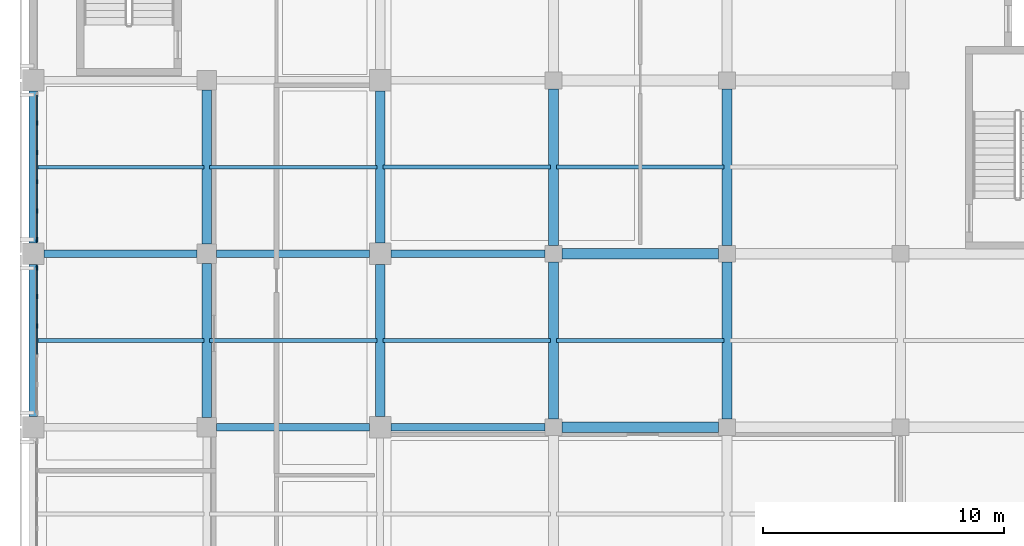
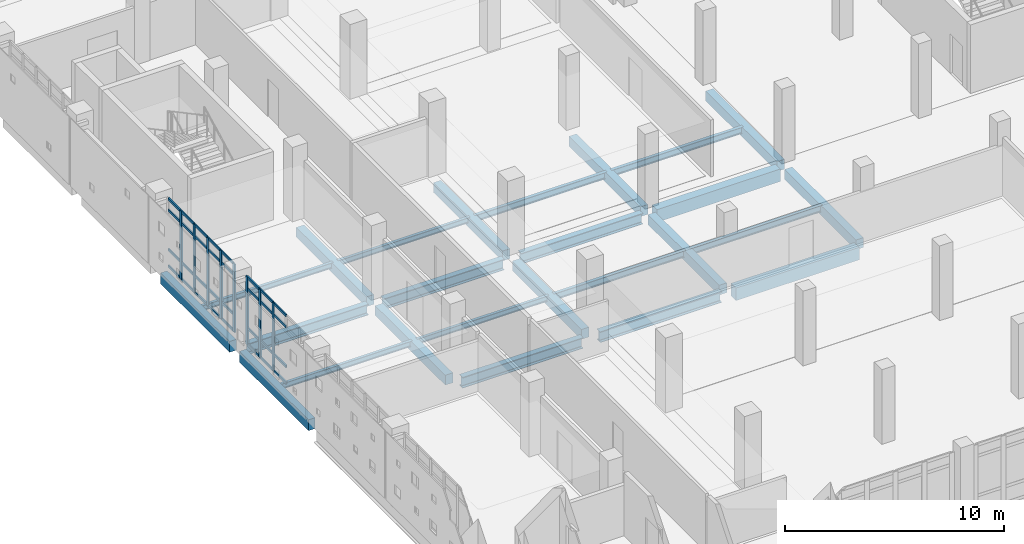
# One storey, part 15 of 62: 40 members, 25 beams, 2 elements without a shape of their own.
"""IFC4 building model written with IfcOpenShell, lengths in metres."""

from ifc_helpers import new_model, si_unit, direction, frame, origin, origin_2d, place, context, subcontext, project, spatial, rectangle, i_section, extrude, material, layer, layer_set, material_profile, profile_set, type_object, element, aggregate, save


model = new_model("IFC4")

# Units and contexts
model_context = context("Model", 3, precision=1e-05, world=origin(), true_north=direction((0.0, 1.0)))
body_context = subcontext(model_context, "Body", "Model", "MODEL_VIEW")
ifc_project = project(units=[si_unit("LENGTHUNIT", "METRE"), si_unit("AREAUNIT", "SQUARE_METRE"), si_unit("VOLUMEUNIT", "CUBIC_METRE"), si_unit("PLANEANGLEUNIT", "RADIAN"), si_unit("MASSUNIT", "GRAM", prefix="KILO")], contexts=[model_context])

# Site, building, storey
site_placement = place(None, origin())
site = spatial("IfcSite", under=ifc_project, at=site_placement, CompositionType="ELEMENT")
building_placement = place(site_placement, origin())
building = spatial("IfcBuilding", under=site, at=building_placement, Name="Valkovuoma Quantum and Materials Research Institute", CompositionType="ELEMENT")
storey_placement = place(building_placement, frame((0.0, 0.0, 8.9599609375)))
storey = spatial("IfcBuildingStorey", under=building, at=storey_placement, Name="L02", CompositionType="ELEMENT", Elevation=8.9599609375)

# Beams
ifc_material_1 = material(Name="Steel S355J2", Category="steel")
ifc_material_profile_1 = material_profile(ifc_material_1, i_section(OverallWidth=0.300048828125, OverallDepth=0.60009765625, WebThickness=0.015380859375, FlangeThickness=0.030029296875, FilletRadius=0.027099609375, at=origin_2d()), Name="Steel S355J2")
ifc_profile_set_1 = profile_set([ifc_material_profile_1], Name="Steel S355J2")
beam_type_1 = type_object("IfcBeamType", Name="Beam-B-HEB600", PredefinedType="BEAM", material=ifc_profile_set_1)
beam_1_placement = place(storey_placement, frame((7.60009765625, 57.60009765625, -0.64990234375), z_axis=(1.0, 0.0, 0.0), x_axis=(0.0, 1.0, 0.0)))
element("IfcBeam", 1, at=beam_1_placement, inside=storey, type_object=beam_type_1, Name="L02 beam X-1046", PredefinedType="BEAM", context=body_context, shape_type="SweptSolid", body=[
    extrude(i_section(OverallWidth=0.300048828125, OverallDepth=0.60009765625, WebThickness=0.015380859375, FlangeThickness=0.030029296875, FilletRadius=0.027099609375, at=origin_2d()), origin(), (0.0, 0.0, 1.0), 6.349853515625),
])
beam_2_placement = place(storey_placement, frame((14.85009765625, 57.60009765625, -0.64990234375), z_axis=(1.0, 0.0, 0.0), x_axis=(0.0, 1.0, 0.0)))
element("IfcBeam", 2, at=beam_2_placement, inside=storey, type_object=beam_type_1, Name="L02 beam X-1047", PredefinedType="BEAM", context=body_context, shape_type="SweptSolid", body=[
    extrude(i_section(OverallWidth=0.300048828125, OverallDepth=0.60009765625, WebThickness=0.015380859375, FlangeThickness=0.030029296875, FilletRadius=0.027099609375, at=origin_2d()), origin(), (0.0, 0.0, 1.0), 6.39990234375),
])
beam_3_placement = place(storey_placement, frame((0.449951171875, 64.800048828125, -0.64990234375), z_axis=(1.0, 0.0, 0.0), x_axis=(0.0, 1.0, 0.0)))
element("IfcBeam", 3, at=beam_3_placement, inside=storey, type_object=beam_type_1, Name="L02 beam X-1065", PredefinedType="BEAM", context=body_context, shape_type="SweptSolid", body=[
    extrude(i_section(OverallWidth=0.300048828125, OverallDepth=0.60009765625, WebThickness=0.015380859375, FlangeThickness=0.030029296875, FilletRadius=0.027099609375, at=origin_2d()), origin(), (0.0, 0.0, 1.0), 6.35009765625),
])
beam_4_placement = place(storey_placement, frame((7.60009765625, 64.800048828125, -0.64990234375), z_axis=(1.0, 0.0, 0.0), x_axis=(0.0, 1.0, 0.0)))
element("IfcBeam", 4, at=beam_4_placement, inside=storey, type_object=beam_type_1, Name="L02 beam X-1066", PredefinedType="BEAM", context=body_context, shape_type="SweptSolid", body=[
    extrude(i_section(OverallWidth=0.300048828125, OverallDepth=0.60009765625, WebThickness=0.015380859375, FlangeThickness=0.030029296875, FilletRadius=0.027099609375, at=origin_2d()), origin(), (0.0, 0.0, 1.0), 6.349853515625),
])
beam_5_placement = place(storey_placement, frame((14.85009765625, 64.800048828125, -0.64990234375), z_axis=(1.0, 0.0, 0.0), x_axis=(0.0, 1.0, 0.0)))
element("IfcBeam", 5, at=beam_5_placement, inside=storey, type_object=beam_type_1, Name="L02 beam X-1067", PredefinedType="BEAM", context=body_context, shape_type="SweptSolid", body=[
    extrude(i_section(OverallWidth=0.300048828125, OverallDepth=0.60009765625, WebThickness=0.015380859375, FlangeThickness=0.030029296875, FilletRadius=0.027099609375, at=origin_2d()), origin(), (0.0, 0.0, 1.0), 6.39990234375),
])
ifc_material_2 = material(Name="Steel S355J2", Category="steel")
ifc_material_profile_2 = material_profile(ifc_material_2, i_section(OverallWidth=0.14990234375, OverallDepth=0.300048828125, WebThickness=0.007080078125, FlangeThickness=0.0107421875, FilletRadius=0.014892578125, at=origin_2d()), Name="Steel S355J2")
ifc_profile_set_2 = profile_set([ifc_material_profile_2], Name="Steel S355J2")
beam_type_2 = type_object("IfcBeamType", Name="Beam-B-JST300", PredefinedType="JOIST", material=ifc_profile_set_2)
for number, where, z_axis, x_axis, name in (
    (6, (0.1201171875, 61.199951171875, -0.5), (1.0, 0.0, 0.0), (0.0, 1.0, 0.0), "L02 floor joist 1341"),
    (7, (7.320068359375, 61.199951171875, -0.5), (1.0, 0.0, 0.0), (0.0, 1.0, 0.0), "L02 floor joist 1342"),
    (8, (0.1201171875, 68.39990234375, -0.5), (1.0, 0.0, 0.0), (0.0, 1.0, 0.0), "L02 floor joist 1360"),
    (9, (7.320068359375, 68.39990234375, -0.5), (1.0, 0.0, 0.0), (0.0, 1.0, 0.0), "L02 floor joist 1361"),
):
    element("IfcBeam", number, at=place(storey_placement, frame(where, z_axis=z_axis, x_axis=x_axis)), inside=storey, type_object=beam_type_2, Name=name, PredefinedType="JOIST", context=body_context, shape_type="SweptSolid", body=[
        extrude(i_section(OverallWidth=0.14990234375, OverallDepth=0.300048828125, WebThickness=0.007080078125, FlangeThickness=0.0107421875, FilletRadius=0.014892578125, at=origin_2d()), origin(), (0.0, 0.0, 1.0), 6.9599609375),
    ])
ifc_material_3 = material(Name="Steel S355J2", Category="steel")
ifc_material_profile_3 = material_profile(ifc_material_3, i_section(OverallWidth=0.169921875, OverallDepth=0.360107421875, WebThickness=0.008056640625, FlangeThickness=0.0126953125, FilletRadius=0.01806640625, at=origin_2d()), Name="Steel S355J2")
ifc_profile_set_3 = profile_set([ifc_material_profile_3], Name="Steel S355J2")
beam_type_3 = type_object("IfcBeamType", Name="Beam-B-JST360", PredefinedType="JOIST", material=ifc_profile_set_3)
for number, where, z_axis, x_axis, name in (
    (10, (14.52001953125, 61.199951171875, -0.530029296875), (1.0, 0.0, 0.0), (0.0, 1.0, 0.0), "L02 floor joist 1343"),
    (11, (21.719970703125, 61.199951171875, -0.530029296875), (1.0, 0.0, 0.0), (0.0, 1.0, 0.0), "L02 floor joist 1344"),
    (12, (14.52001953125, 68.39990234375, -0.530029296875), (1.0, 0.0, 0.0), (0.0, 1.0, 0.0), "L02 floor joist 1362"),
    (13, (21.719970703125, 68.39990234375, -0.530029296875), (1.0, 0.0, 0.0), (0.0, 1.0, 0.0), "L02 floor joist 1363"),
):
    element("IfcBeam", number, at=place(storey_placement, frame(where, z_axis=z_axis, x_axis=x_axis)), inside=storey, type_object=beam_type_3, Name=name, PredefinedType="JOIST", context=body_context, shape_type="SweptSolid", body=[
        extrude(i_section(OverallWidth=0.169921875, OverallDepth=0.360107421875, WebThickness=0.008056640625, FlangeThickness=0.0126953125, FilletRadius=0.01806640625, at=origin_2d()), origin(), (0.0, 0.0, 1.0), 6.9599609375),
    ])
ifc_material_4 = material(Name="Concrete C40/50", Category="concrete")
ifc_material_profile_4 = material_profile(ifc_material_4, rectangle(XDim=0.39990234375, YDim=0.550048828125, at=origin_2d()), Name="Concrete C40/50")
ifc_profile_set_4 = profile_set([ifc_material_profile_4], Name="Concrete C40/50")
beam_type_4 = type_object("IfcBeamType", Name="Beam-B-RC550", PredefinedType="BEAM", material=ifc_profile_set_4)
beam_6_placement = place(storey_placement, frame((7.199951171875, 58.0, -0.625), z_axis=(0.0, 1.0, 0.0), x_axis=(-1.0, 0.0, 0.0)))
element("IfcBeam", 14, at=beam_6_placement, inside=storey, type_object=beam_type_4, Name="L02 beam Y-1158", PredefinedType="BEAM", context=body_context, shape_type="SweptSolid", body=[
    extrude(rectangle(XDim=0.39990234375, YDim=0.550048828125, at=origin_2d()), origin(), (0.0, 0.0, 1.0), 6.39990234375),
])
beam_7_placement = place(storey_placement, frame((7.199951171875, 65.199951171875, -0.625), z_axis=(0.0, 1.0, 0.0), x_axis=(-1.0, 0.0, 0.0)))
element("IfcBeam", 15, at=beam_7_placement, inside=storey, type_object=beam_type_4, Name="L02 beam Y-1159", PredefinedType="BEAM", context=body_context, shape_type="SweptSolid", body=[
    extrude(rectangle(XDim=0.39990234375, YDim=0.550048828125, at=origin_2d()), origin(), (0.0, 0.0, 1.0), 6.400146484375),
])
for number, where, z_axis, x_axis, name in (
    (16, (14.39990234375, 58.050048828125, -0.625), (0.0, 1.0, 0.0), (-1.0, 0.0, 0.0), "L02 beam Y-1161"),
    (17, (14.39990234375, 65.25, -0.625), (0.0, 1.0, 0.0), (-1.0, 0.0, 0.0), "L02 beam Y-1162"),
):
    element("IfcBeam", number, at=place(storey_placement, frame(where, z_axis=z_axis, x_axis=x_axis)), inside=storey, type_object=beam_type_4, Name=name, PredefinedType="BEAM", context=body_context, shape_type="SweptSolid", body=[
        extrude(rectangle(XDim=0.39990234375, YDim=0.550048828125, at=origin_2d()), origin(), (0.0, 0.0, 1.0), 6.300048828125),
    ])
for number, where, z_axis, x_axis, name in (
    (18, (21.60009765625, 57.949951171875, -0.625), (0.0, 1.0, 0.0), (-1.0, 0.0, 0.0), "L02 beam Y-1171"),
    (19, (21.60009765625, 65.14990234375, -0.625), (0.0, 1.0, 0.0), (-1.0, 0.0, 0.0), "L02 beam Y-1172"),
    (20, (28.800048828125, 57.949951171875, -0.625), (0.0, 1.0, 0.0), (-1.0, 0.0, 0.0), "L02 beam Y-1181"),
    (21, (28.800048828125, 65.14990234375, -0.625), (0.0, 1.0, 0.0), (-1.0, 0.0, 0.0), "L02 beam Y-1182"),
):
    element("IfcBeam", number, at=place(storey_placement, frame(where, z_axis=z_axis, x_axis=x_axis)), inside=storey, type_object=beam_type_4, Name=name, PredefinedType="BEAM", context=body_context, shape_type="SweptSolid", body=[
        extrude(rectangle(XDim=0.39990234375, YDim=0.550048828125, at=origin_2d()), origin(), (0.0, 0.0, 1.0), 6.5),
    ])
ifc_material_5 = material(Name="Concrete C40/50", Category="concrete")
ifc_material_profile_5 = material_profile(ifc_material_5, rectangle(XDim=0.449951171875, YDim=0.699951171875, at=origin_2d()), Name="Concrete C40/50")
ifc_profile_set_5 = profile_set([ifc_material_profile_5], Name="Concrete C40/50")
beam_type_5 = type_object("IfcBeamType", Name="Beam-B-RC700", PredefinedType="BEAM", material=ifc_profile_set_5)
for number, where, z_axis, x_axis, name in (
    (22, (21.949951171875, 57.60009765625, -0.699951171875), (1.0, 0.0, 0.0), (0.0, 1.0, 0.0), "L02 beam X-1048"),
    (23, (21.949951171875, 64.800048828125, -0.699951171875), (1.0, 0.0, 0.0), (0.0, 1.0, 0.0), "L02 beam X-1068"),
):
    element("IfcBeam", number, at=place(storey_placement, frame(where, z_axis=z_axis, x_axis=x_axis)), inside=storey, type_object=beam_type_5, Name=name, PredefinedType="BEAM", context=body_context, shape_type="SweptSolid", body=[
        extrude(rectangle(XDim=0.449951171875, YDim=0.699951171875, at=origin_2d()), origin(), (0.0, 0.0, 1.0), 6.5),
    ])
ifc_material_6 = material(Name="Concrete C40/50", Category="concrete")
ifc_material_profile_6 = material_profile(ifc_material_6, rectangle(XDim=0.35009765625, YDim=0.60009765625, at=origin_2d()), Name="Concrete C40/50")
ifc_profile_set_6 = profile_set([ifc_material_profile_6], Name="Concrete C40/50")
beam_type_6 = type_object("IfcBeamType", Name="Beam-B-SPN600", PredefinedType="SPANDREL", material=ifc_profile_set_6)
for number, where, z_axis, x_axis, name in (
    (24, (0.0, 58.050048828125, -0.64990234375), (0.0, 1.0, 0.0), (-1.0, 0.0, 0.0), "L02 beam Y-1153"),
    (25, (0.0, 65.25, -0.64990234375), (0.0, 1.0, 0.0), (-1.0, 0.0, 0.0), "L02 beam Y-1154"),
):
    element("IfcBeam", number, at=place(storey_placement, frame(where, z_axis=z_axis, x_axis=x_axis)), inside=storey, type_object=beam_type_6, Name=name, PredefinedType="SPANDREL", context=body_context, shape_type="SweptSolid", body=[
        extrude(rectangle(XDim=0.35009765625, YDim=0.60009765625, at=origin_2d()), origin(), (0.0, 0.0, 1.0), 6.300048828125),
    ])

# Curtain wall, members
ifc_material_7 = material(Name="Thermally broken aluminium and triple low-E glazing", Category="aluminium")
ifc_layer = layer(ifc_material_7, 0.219970703125)
ifc_layer_set = layer_set([ifc_layer], Name="Thermally broken aluminium and triple low-E glazing")
curtain_wall_type = type_object("IfcCurtainWallType", Name="CW-CW-01", PredefinedType="NOTDEFINED", material=ifc_layer_set)
curtain_wall_1_placement = place(storey_placement, origin())
curtain_wall_1 = element("IfcCurtainWall", 26, at=curtain_wall_1_placement, inside=storey, type_object=curtain_wall_type, Name="L02 curtain wall 024", PredefinedType="NOTDEFINED")
ifc_material_8 = material(Name="Anodised aluminium 6060-T66", Category="aluminium")
ifc_material_profile_7 = material_profile(ifc_material_8, rectangle(XDim=0.06494140625, YDim=0.179931640625, at=origin_2d()), Name="Anodised aluminium 6060-T66")
ifc_profile_set_7 = profile_set([ifc_material_profile_7], Name="Anodised aluminium 6060-T66")
member_type_1 = type_object("IfcMemberType", Name="CWMull-CWM-01", PredefinedType="MULLION", material=ifc_profile_set_7)
member_1_placement = place(storey_placement, frame((0.14990234375, 61.80859375, 0.0), z_axis=(0.0, 0.0, 1.0), x_axis=(-1.0, 0.0, 0.0)))
member_1 = element("IfcMember", 27, at=member_1_placement, type_object=member_type_1, Name="CW-01 mullion 4", PredefinedType="MULLION", context=body_context, shape_type="SweptSolid", body=[
    extrude(rectangle(XDim=0.06494140625, YDim=0.179931640625, at=origin_2d()), origin(), (0.0, 0.0, 1.0), 3.81005859375),
])
member_2_placement = place(storey_placement, frame((0.14990234375, 63.025634765625, 0.0), z_axis=(0.0, 0.0, 1.0), x_axis=(-1.0, 0.0, 0.0)))
member_2 = element("IfcMember", 28, at=member_2_placement, type_object=member_type_1, Name="CW-01 mullion 5", PredefinedType="MULLION", context=body_context, shape_type="SweptSolid", body=[
    extrude(rectangle(XDim=0.06494140625, YDim=0.179931640625, at=origin_2d()), origin(), (0.0, 0.0, 1.0), 3.81005859375),
])
member_3_placement = place(storey_placement, frame((0.14990234375, 64.21044921875, 0.0), z_axis=(0.0, 0.0, 1.0), x_axis=(-1.0, 0.0, 0.0)))
member_3 = element("IfcMember", 29, at=member_3_placement, type_object=member_type_1, Name="CW-01 mullion 6", PredefinedType="MULLION", context=body_context, shape_type="SweptSolid", body=[
    extrude(rectangle(XDim=0.06494140625, YDim=0.179931640625, at=origin_2d()), origin(), (0.0, 0.0, 1.0), 3.81005859375),
])

curtain_wall_2_placement = place(storey_placement, origin())
curtain_wall_2 = element("IfcCurtainWall", 30, at=curtain_wall_2_placement, inside=storey, type_object=curtain_wall_type, Name="L02 curtain wall 025", PredefinedType="NOTDEFINED")
member_4_placement = place(storey_placement, frame((0.14990234375, 65.3896484375, 0.0), z_axis=(0.0, 0.0, 1.0), x_axis=(-1.0, 0.0, 0.0)))
member_4 = element("IfcMember", 31, at=member_4_placement, type_object=member_type_1, Name="CW-01 mullion 1", PredefinedType="MULLION", context=body_context, shape_type="SweptSolid", body=[
    extrude(rectangle(XDim=0.06494140625, YDim=0.179931640625, at=origin_2d()), origin(), (0.0, 0.0, 1.0), 3.81005859375),
])
member_5_placement = place(storey_placement, frame((0.14990234375, 66.57421875, 0.0), z_axis=(0.0, 0.0, 1.0), x_axis=(-1.0, 0.0, 0.0)))
member_5 = element("IfcMember", 32, at=member_5_placement, type_object=member_type_1, Name="CW-01 mullion 2", PredefinedType="MULLION", context=body_context, shape_type="SweptSolid", body=[
    extrude(rectangle(XDim=0.06494140625, YDim=0.179931640625, at=origin_2d()), origin(), (0.0, 0.0, 1.0), 3.81005859375),
])
member_6_placement = place(storey_placement, frame((0.14990234375, 67.79150390625, 0.0), z_axis=(0.0, 0.0, 1.0), x_axis=(-1.0, 0.0, 0.0)))
member_6 = element("IfcMember", 33, at=member_6_placement, type_object=member_type_1, Name="CW-01 mullion 3", PredefinedType="MULLION", context=body_context, shape_type="SweptSolid", body=[
    extrude(rectangle(XDim=0.06494140625, YDim=0.179931640625, at=origin_2d()), origin(), (0.0, 0.0, 1.0), 3.81005859375),
])
member_7_placement = place(storey_placement, frame((0.14990234375, 69.008544921875, 0.0), z_axis=(0.0, 0.0, 1.0), x_axis=(-1.0, 0.0, 0.0)))
member_7 = element("IfcMember", 34, at=member_7_placement, type_object=member_type_1, Name="CW-01 mullion 4", PredefinedType="MULLION", context=body_context, shape_type="SweptSolid", body=[
    extrude(rectangle(XDim=0.06494140625, YDim=0.179931640625, at=origin_2d()), origin(), (0.0, 0.0, 1.0), 3.81005859375),
])
member_8_placement = place(storey_placement, frame((0.14990234375, 70.225830078125, 0.0), z_axis=(0.0, 0.0, 1.0), x_axis=(-1.0, 0.0, 0.0)))
member_8 = element("IfcMember", 35, at=member_8_placement, type_object=member_type_1, Name="CW-01 mullion 5", PredefinedType="MULLION", context=body_context, shape_type="SweptSolid", body=[
    extrude(rectangle(XDim=0.06494140625, YDim=0.179931640625, at=origin_2d()), origin(), (0.0, 0.0, 1.0), 3.81005859375),
])

# Member
ifc_material_9 = material(Name="Anodised aluminium 6060-T66", Category="aluminium")
ifc_material_profile_8 = material_profile(ifc_material_9, rectangle(XDim=0.06494140625, YDim=0.139892578125, at=origin_2d()), Name="Anodised aluminium 6060-T66")
ifc_profile_set_8 = profile_set([ifc_material_profile_8], Name="Anodised aluminium 6060-T66")
member_type_2 = type_object("IfcMemberType", Name="CWTran-CWT-01", PredefinedType="USERDEFINED", material=ifc_profile_set_8)
member_9_placement = place(storey_placement, frame((0.14990234375, 60.6240234375, 0.032470703125), z_axis=(0.0, 1.0, 0.0), x_axis=(-1.0, 0.0, 0.0)))
member_9 = element("IfcMember", 36, at=member_9_placement, type_object=member_type_2, Name="CW-01 transom 3.1", ObjectType="TRANSOM", PredefinedType="USERDEFINED", context=body_context, shape_type="SweptSolid", body=[
    extrude(rectangle(XDim=0.06494140625, YDim=0.139892578125, at=origin_2d()), origin(), (0.0, 0.0, 1.0), 1.152099609375),
])

member_10_placement = place(storey_placement, frame((0.14990234375, 60.6240234375, 0.949951171875), z_axis=(0.0, 1.0, 0.0), x_axis=(-1.0, 0.0, 0.0)))
member_10 = element("IfcMember", 37, at=member_10_placement, type_object=member_type_2, Name="CW-01 transom 3.2", ObjectType="TRANSOM", PredefinedType="USERDEFINED", context=body_context, shape_type="SweptSolid", body=[
    extrude(rectangle(XDim=0.06494140625, YDim=0.139892578125, at=origin_2d()), origin(), (0.0, 0.0, 1.0), 1.152099609375),
])

member_11_placement = place(storey_placement, frame((0.14990234375, 60.6240234375, 3.16015625), z_axis=(0.0, 1.0, 0.0), x_axis=(-1.0, 0.0, 0.0)))
member_11 = element("IfcMember", 38, at=member_11_placement, type_object=member_type_2, Name="CW-01 transom 3.3", ObjectType="TRANSOM", PredefinedType="USERDEFINED", context=body_context, shape_type="SweptSolid", body=[
    extrude(rectangle(XDim=0.06494140625, YDim=0.139892578125, at=origin_2d()), origin(), (0.0, 0.0, 1.0), 1.152099609375),
])

member_12_placement = place(storey_placement, frame((0.14990234375, 60.6240234375, 3.777587890625), z_axis=(0.0, 1.0, 0.0), x_axis=(-1.0, 0.0, 0.0)))
member_12 = element("IfcMember", 39, at=member_12_placement, type_object=member_type_2, Name="CW-01 transom 3.4", ObjectType="TRANSOM", PredefinedType="USERDEFINED", context=body_context, shape_type="SweptSolid", body=[
    extrude(rectangle(XDim=0.06494140625, YDim=0.139892578125, at=origin_2d()), origin(), (0.0, 0.0, 1.0), 1.152099609375),
])

member_13_placement = place(storey_placement, frame((0.14990234375, 61.841064453125, 0.032470703125), z_axis=(0.0, 1.0, 0.0), x_axis=(-1.0, 0.0, 0.0)))
member_13 = element("IfcMember", 40, at=member_13_placement, type_object=member_type_2, Name="CW-01 transom 4.1", ObjectType="TRANSOM", PredefinedType="USERDEFINED", context=body_context, shape_type="SweptSolid", body=[
    extrude(rectangle(XDim=0.06494140625, YDim=0.139892578125, at=origin_2d()), origin(), (0.0, 0.0, 1.0), 1.152099609375),
])

member_14_placement = place(storey_placement, frame((0.14990234375, 61.841064453125, 0.949951171875), z_axis=(0.0, 1.0, 0.0), x_axis=(-1.0, 0.0, 0.0)))
member_14 = element("IfcMember", 41, at=member_14_placement, type_object=member_type_2, Name="CW-01 transom 4.2", ObjectType="TRANSOM", PredefinedType="USERDEFINED", context=body_context, shape_type="SweptSolid", body=[
    extrude(rectangle(XDim=0.06494140625, YDim=0.139892578125, at=origin_2d()), origin(), (0.0, 0.0, 1.0), 1.152099609375),
])

member_15_placement = place(storey_placement, frame((0.14990234375, 61.841064453125, 3.16015625), z_axis=(0.0, 1.0, 0.0), x_axis=(-1.0, 0.0, 0.0)))
member_15 = element("IfcMember", 42, at=member_15_placement, type_object=member_type_2, Name="CW-01 transom 4.3", ObjectType="TRANSOM", PredefinedType="USERDEFINED", context=body_context, shape_type="SweptSolid", body=[
    extrude(rectangle(XDim=0.06494140625, YDim=0.139892578125, at=origin_2d()), origin(), (0.0, 0.0, 1.0), 1.152099609375),
])

member_16_placement = place(storey_placement, frame((0.14990234375, 61.841064453125, 3.777587890625), z_axis=(0.0, 1.0, 0.0), x_axis=(-1.0, 0.0, 0.0)))
member_16 = element("IfcMember", 43, at=member_16_placement, type_object=member_type_2, Name="CW-01 transom 4.4", ObjectType="TRANSOM", PredefinedType="USERDEFINED", context=body_context, shape_type="SweptSolid", body=[
    extrude(rectangle(XDim=0.06494140625, YDim=0.139892578125, at=origin_2d()), origin(), (0.0, 0.0, 1.0), 1.152099609375),
])

member_17_placement = place(storey_placement, frame((0.14990234375, 63.058349609375, 0.032470703125), z_axis=(0.0, 1.0, 0.0), x_axis=(-1.0, 0.0, 0.0)))
member_17 = element("IfcMember", 44, at=member_17_placement, type_object=member_type_2, Name="CW-01 transom 5.1", ObjectType="TRANSOM", PredefinedType="USERDEFINED", context=body_context, shape_type="SweptSolid", body=[
    extrude(rectangle(XDim=0.06494140625, YDim=0.139892578125, at=origin_2d()), origin(), (0.0, 0.0, 1.0), 1.11962890625),
])

member_18_placement = place(storey_placement, frame((0.14990234375, 63.058349609375, 0.949951171875), z_axis=(0.0, 1.0, 0.0), x_axis=(-1.0, 0.0, 0.0)))
member_18 = element("IfcMember", 45, at=member_18_placement, type_object=member_type_2, Name="CW-01 transom 5.2", ObjectType="TRANSOM", PredefinedType="USERDEFINED", context=body_context, shape_type="SweptSolid", body=[
    extrude(rectangle(XDim=0.06494140625, YDim=0.139892578125, at=origin_2d()), origin(), (0.0, 0.0, 1.0), 1.11962890625),
])

member_19_placement = place(storey_placement, frame((0.14990234375, 63.058349609375, 3.16015625), z_axis=(0.0, 1.0, 0.0), x_axis=(-1.0, 0.0, 0.0)))
member_19 = element("IfcMember", 46, at=member_19_placement, type_object=member_type_2, Name="CW-01 transom 5.3", ObjectType="TRANSOM", PredefinedType="USERDEFINED", context=body_context, shape_type="SweptSolid", body=[
    extrude(rectangle(XDim=0.06494140625, YDim=0.139892578125, at=origin_2d()), origin(), (0.0, 0.0, 1.0), 1.11962890625),
])

member_20_placement = place(storey_placement, frame((0.14990234375, 63.058349609375, 3.777587890625), z_axis=(0.0, 1.0, 0.0), x_axis=(-1.0, 0.0, 0.0)))
member_20 = element("IfcMember", 47, at=member_20_placement, type_object=member_type_2, Name="CW-01 transom 5.4", ObjectType="TRANSOM", PredefinedType="USERDEFINED", context=body_context, shape_type="SweptSolid", body=[
    extrude(rectangle(XDim=0.06494140625, YDim=0.139892578125, at=origin_2d()), origin(), (0.0, 0.0, 1.0), 1.11962890625),
])

aggregate(curtain_wall_1, [member_1, member_2, member_3, member_9, member_10, member_11, member_12, member_13, member_14, member_15, member_16, member_17, member_18, member_19, member_20])

member_21_placement = place(storey_placement, frame((0.14990234375, 65.422119140625, 0.032470703125), z_axis=(0.0, 1.0, 0.0), x_axis=(-1.0, 0.0, 0.0)))
member_21 = element("IfcMember", 48, at=member_21_placement, type_object=member_type_2, Name="CW-01 transom 1.1", ObjectType="TRANSOM", PredefinedType="USERDEFINED", context=body_context, shape_type="SweptSolid", body=[
    extrude(rectangle(XDim=0.06494140625, YDim=0.139892578125, at=origin_2d()), origin(), (0.0, 0.0, 1.0), 1.11962890625),
])

member_22_placement = place(storey_placement, frame((0.14990234375, 65.422119140625, 0.949951171875), z_axis=(0.0, 1.0, 0.0), x_axis=(-1.0, 0.0, 0.0)))
member_22 = element("IfcMember", 49, at=member_22_placement, type_object=member_type_2, Name="CW-01 transom 1.2", ObjectType="TRANSOM", PredefinedType="USERDEFINED", context=body_context, shape_type="SweptSolid", body=[
    extrude(rectangle(XDim=0.06494140625, YDim=0.139892578125, at=origin_2d()), origin(), (0.0, 0.0, 1.0), 1.11962890625),
])

member_23_placement = place(storey_placement, frame((0.14990234375, 65.422119140625, 3.16015625), z_axis=(0.0, 1.0, 0.0), x_axis=(-1.0, 0.0, 0.0)))
member_23 = element("IfcMember", 50, at=member_23_placement, type_object=member_type_2, Name="CW-01 transom 1.3", ObjectType="TRANSOM", PredefinedType="USERDEFINED", context=body_context, shape_type="SweptSolid", body=[
    extrude(rectangle(XDim=0.06494140625, YDim=0.139892578125, at=origin_2d()), origin(), (0.0, 0.0, 1.0), 1.11962890625),
])

member_24_placement = place(storey_placement, frame((0.14990234375, 65.422119140625, 3.777587890625), z_axis=(0.0, 1.0, 0.0), x_axis=(-1.0, 0.0, 0.0)))
member_24 = element("IfcMember", 51, at=member_24_placement, type_object=member_type_2, Name="CW-01 transom 1.4", ObjectType="TRANSOM", PredefinedType="USERDEFINED", context=body_context, shape_type="SweptSolid", body=[
    extrude(rectangle(XDim=0.06494140625, YDim=0.139892578125, at=origin_2d()), origin(), (0.0, 0.0, 1.0), 1.11962890625),
])

member_25_placement = place(storey_placement, frame((0.14990234375, 66.606689453125, 0.032470703125), z_axis=(0.0, 1.0, 0.0), x_axis=(-1.0, 0.0, 0.0)))
member_25 = element("IfcMember", 52, at=member_25_placement, type_object=member_type_2, Name="CW-01 transom 2.1", ObjectType="TRANSOM", PredefinedType="USERDEFINED", context=body_context, shape_type="SweptSolid", body=[
    extrude(rectangle(XDim=0.06494140625, YDim=0.139892578125, at=origin_2d()), origin(), (0.0, 0.0, 1.0), 1.15234375),
])

member_26_placement = place(storey_placement, frame((0.14990234375, 66.606689453125, 0.949951171875), z_axis=(0.0, 1.0, 0.0), x_axis=(-1.0, 0.0, 0.0)))
member_26 = element("IfcMember", 53, at=member_26_placement, type_object=member_type_2, Name="CW-01 transom 2.2", ObjectType="TRANSOM", PredefinedType="USERDEFINED", context=body_context, shape_type="SweptSolid", body=[
    extrude(rectangle(XDim=0.06494140625, YDim=0.139892578125, at=origin_2d()), origin(), (0.0, 0.0, 1.0), 1.15234375),
])

member_27_placement = place(storey_placement, frame((0.14990234375, 66.606689453125, 3.16015625), z_axis=(0.0, 1.0, 0.0), x_axis=(-1.0, 0.0, 0.0)))
member_27 = element("IfcMember", 54, at=member_27_placement, type_object=member_type_2, Name="CW-01 transom 2.3", ObjectType="TRANSOM", PredefinedType="USERDEFINED", context=body_context, shape_type="SweptSolid", body=[
    extrude(rectangle(XDim=0.06494140625, YDim=0.139892578125, at=origin_2d()), origin(), (0.0, 0.0, 1.0), 1.15234375),
])

member_28_placement = place(storey_placement, frame((0.14990234375, 66.606689453125, 3.777587890625), z_axis=(0.0, 1.0, 0.0), x_axis=(-1.0, 0.0, 0.0)))
member_28 = element("IfcMember", 55, at=member_28_placement, type_object=member_type_2, Name="CW-01 transom 2.4", ObjectType="TRANSOM", PredefinedType="USERDEFINED", context=body_context, shape_type="SweptSolid", body=[
    extrude(rectangle(XDim=0.06494140625, YDim=0.139892578125, at=origin_2d()), origin(), (0.0, 0.0, 1.0), 1.15234375),
])

member_29_placement = place(storey_placement, frame((0.14990234375, 67.823974609375, 0.032470703125), z_axis=(0.0, 1.0, 0.0), x_axis=(-1.0, 0.0, 0.0)))
member_29 = element("IfcMember", 56, at=member_29_placement, type_object=member_type_2, Name="CW-01 transom 3.1", ObjectType="TRANSOM", PredefinedType="USERDEFINED", context=body_context, shape_type="SweptSolid", body=[
    extrude(rectangle(XDim=0.06494140625, YDim=0.139892578125, at=origin_2d()), origin(), (0.0, 0.0, 1.0), 1.152099609375),
])

member_30_placement = place(storey_placement, frame((0.14990234375, 67.823974609375, 0.949951171875), z_axis=(0.0, 1.0, 0.0), x_axis=(-1.0, 0.0, 0.0)))
member_30 = element("IfcMember", 57, at=member_30_placement, type_object=member_type_2, Name="CW-01 transom 3.2", ObjectType="TRANSOM", PredefinedType="USERDEFINED", context=body_context, shape_type="SweptSolid", body=[
    extrude(rectangle(XDim=0.06494140625, YDim=0.139892578125, at=origin_2d()), origin(), (0.0, 0.0, 1.0), 1.152099609375),
])

member_31_placement = place(storey_placement, frame((0.14990234375, 67.823974609375, 3.16015625), z_axis=(0.0, 1.0, 0.0), x_axis=(-1.0, 0.0, 0.0)))
member_31 = element("IfcMember", 58, at=member_31_placement, type_object=member_type_2, Name="CW-01 transom 3.3", ObjectType="TRANSOM", PredefinedType="USERDEFINED", context=body_context, shape_type="SweptSolid", body=[
    extrude(rectangle(XDim=0.06494140625, YDim=0.139892578125, at=origin_2d()), origin(), (0.0, 0.0, 1.0), 1.152099609375),
])

member_32_placement = place(storey_placement, frame((0.14990234375, 67.823974609375, 3.777587890625), z_axis=(0.0, 1.0, 0.0), x_axis=(-1.0, 0.0, 0.0)))
member_32 = element("IfcMember", 59, at=member_32_placement, type_object=member_type_2, Name="CW-01 transom 3.4", ObjectType="TRANSOM", PredefinedType="USERDEFINED", context=body_context, shape_type="SweptSolid", body=[
    extrude(rectangle(XDim=0.06494140625, YDim=0.139892578125, at=origin_2d()), origin(), (0.0, 0.0, 1.0), 1.152099609375),
])

member_33_placement = place(storey_placement, frame((0.14990234375, 69.041015625, 0.032470703125), z_axis=(0.0, 1.0, 0.0), x_axis=(-1.0, 0.0, 0.0)))
member_33 = element("IfcMember", 60, at=member_33_placement, type_object=member_type_2, Name="CW-01 transom 4.1", ObjectType="TRANSOM", PredefinedType="USERDEFINED", context=body_context, shape_type="SweptSolid", body=[
    extrude(rectangle(XDim=0.06494140625, YDim=0.139892578125, at=origin_2d()), origin(), (0.0, 0.0, 1.0), 1.15234375),
])

member_34_placement = place(storey_placement, frame((0.14990234375, 69.041015625, 0.949951171875), z_axis=(0.0, 1.0, 0.0), x_axis=(-1.0, 0.0, 0.0)))
member_34 = element("IfcMember", 61, at=member_34_placement, type_object=member_type_2, Name="CW-01 transom 4.2", ObjectType="TRANSOM", PredefinedType="USERDEFINED", context=body_context, shape_type="SweptSolid", body=[
    extrude(rectangle(XDim=0.06494140625, YDim=0.139892578125, at=origin_2d()), origin(), (0.0, 0.0, 1.0), 1.15234375),
])

member_35_placement = place(storey_placement, frame((0.14990234375, 69.041015625, 3.16015625), z_axis=(0.0, 1.0, 0.0), x_axis=(-1.0, 0.0, 0.0)))
member_35 = element("IfcMember", 62, at=member_35_placement, type_object=member_type_2, Name="CW-01 transom 4.3", ObjectType="TRANSOM", PredefinedType="USERDEFINED", context=body_context, shape_type="SweptSolid", body=[
    extrude(rectangle(XDim=0.06494140625, YDim=0.139892578125, at=origin_2d()), origin(), (0.0, 0.0, 1.0), 1.15234375),
])

member_36_placement = place(storey_placement, frame((0.14990234375, 69.041015625, 3.777587890625), z_axis=(0.0, 1.0, 0.0), x_axis=(-1.0, 0.0, 0.0)))
member_36 = element("IfcMember", 63, at=member_36_placement, type_object=member_type_2, Name="CW-01 transom 4.4", ObjectType="TRANSOM", PredefinedType="USERDEFINED", context=body_context, shape_type="SweptSolid", body=[
    extrude(rectangle(XDim=0.06494140625, YDim=0.139892578125, at=origin_2d()), origin(), (0.0, 0.0, 1.0), 1.15234375),
])

member_37_placement = place(storey_placement, frame((0.14990234375, 70.25830078125, 0.032470703125), z_axis=(0.0, 1.0, 0.0), x_axis=(-1.0, 0.0, 0.0)))
member_37 = element("IfcMember", 64, at=member_37_placement, type_object=member_type_2, Name="CW-01 transom 5.1", ObjectType="TRANSOM", PredefinedType="USERDEFINED", context=body_context, shape_type="SweptSolid", body=[
    extrude(rectangle(XDim=0.06494140625, YDim=0.139892578125, at=origin_2d()), origin(), (0.0, 0.0, 1.0), 1.11962890625),
])

member_38_placement = place(storey_placement, frame((0.14990234375, 70.25830078125, 0.949951171875), z_axis=(0.0, 1.0, 0.0), x_axis=(-1.0, 0.0, 0.0)))
member_38 = element("IfcMember", 65, at=member_38_placement, type_object=member_type_2, Name="CW-01 transom 5.2", ObjectType="TRANSOM", PredefinedType="USERDEFINED", context=body_context, shape_type="SweptSolid", body=[
    extrude(rectangle(XDim=0.06494140625, YDim=0.139892578125, at=origin_2d()), origin(), (0.0, 0.0, 1.0), 1.11962890625),
])

member_39_placement = place(storey_placement, frame((0.14990234375, 70.25830078125, 3.16015625), z_axis=(0.0, 1.0, 0.0), x_axis=(-1.0, 0.0, 0.0)))
member_39 = element("IfcMember", 66, at=member_39_placement, type_object=member_type_2, Name="CW-01 transom 5.3", ObjectType="TRANSOM", PredefinedType="USERDEFINED", context=body_context, shape_type="SweptSolid", body=[
    extrude(rectangle(XDim=0.06494140625, YDim=0.139892578125, at=origin_2d()), origin(), (0.0, 0.0, 1.0), 1.11962890625),
])

member_40_placement = place(storey_placement, frame((0.14990234375, 70.25830078125, 3.777587890625), z_axis=(0.0, 1.0, 0.0), x_axis=(-1.0, 0.0, 0.0)))
member_40 = element("IfcMember", 67, at=member_40_placement, type_object=member_type_2, Name="CW-01 transom 5.4", ObjectType="TRANSOM", PredefinedType="USERDEFINED", context=body_context, shape_type="SweptSolid", body=[
    extrude(rectangle(XDim=0.06494140625, YDim=0.139892578125, at=origin_2d()), origin(), (0.0, 0.0, 1.0), 1.11962890625),
])

aggregate(curtain_wall_2, [member_4, member_5, member_6, member_7, member_8, member_21, member_22, member_23, member_24, member_25, member_26, member_27, member_28, member_29, member_30, member_31, member_32, member_33, member_34, member_35, member_36, member_37, member_38, member_39, member_40])

save(model, "model.ifc")
